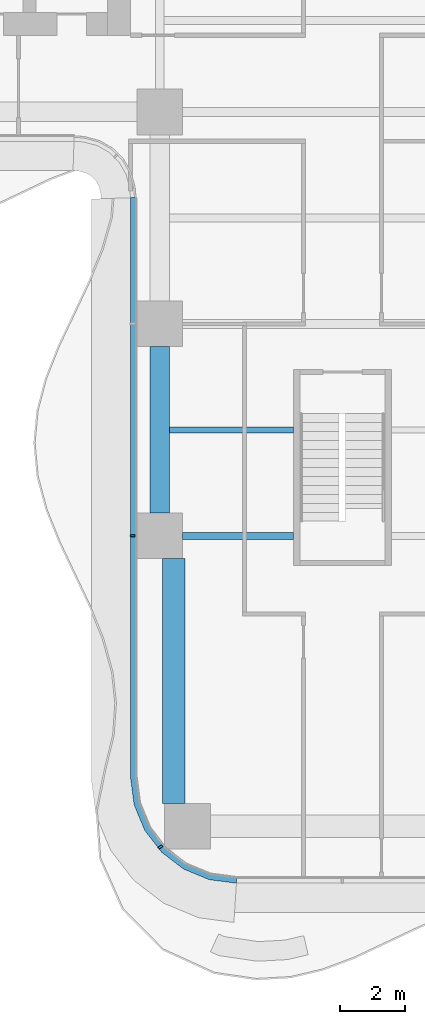
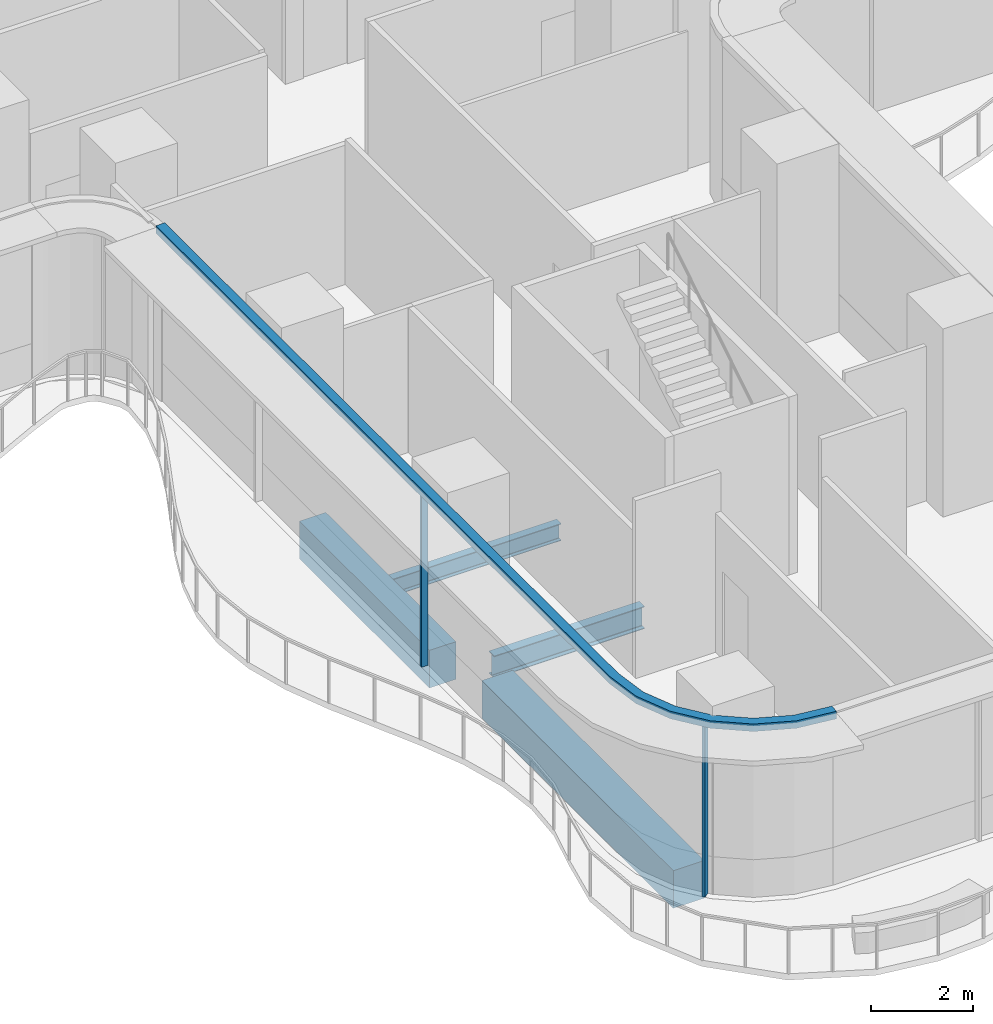
# One storey, part 2 of 22: 4 beams, 3 members, 1 element without a shape of its own.
"""IFC4 building model written with IfcOpenShell, lengths in metres."""

from ifc_helpers import new_model, si_unit, direction, frame, origin, origin_2d, place, context, subcontext, project, spatial, polyline, rectangle, i_section, outline, extrude, source, transform, mapped, material, layer, layer_set, material_profile, profile_set, type_object, element, aggregate, save


model = new_model("IFC4")

# Units and contexts
model_context = context("Model", 3, precision=1e-05, world=origin(), true_north=direction((0.0, 1.0)))
body_context = subcontext(model_context, "Body", "Model", "MODEL_VIEW")
ifc_project = project(units=[si_unit("LENGTHUNIT", "METRE"), si_unit("AREAUNIT", "SQUARE_METRE"), si_unit("VOLUMEUNIT", "CUBIC_METRE"), si_unit("PLANEANGLEUNIT", "RADIAN"), si_unit("MASSUNIT", "GRAM", prefix="KILO")], contexts=[model_context])

# Site, building, storey
site_placement = place(None, origin())
site = spatial("IfcSite", under=ifc_project, at=site_placement, CompositionType="ELEMENT")
building_placement = place(site_placement, origin())
building = spatial("IfcBuilding", under=site, at=building_placement, Name="Trellis Farm Tower", CompositionType="ELEMENT")
storey_placement = place(building_placement, frame((0.0, 0.0, 70.0)))
storey = spatial("IfcBuildingStorey", under=building, at=storey_placement, Name="L14", CompositionType="ELEMENT", Elevation=70.0)

# Beams
ifc_material_1 = material(Name="Steel S355", Category="steel")
ifc_material_profile_1 = material_profile(ifc_material_1, i_section(OverallWidth=0.209228515625, OverallDepth=0.533203125, WebThickness=0.010009765625, FlangeThickness=0.015625, FilletRadius=0.0126953125, at=origin_2d()), Name="UB 533x210x92")
ifc_profile_set_1 = profile_set([ifc_material_profile_1], Name="Steel S355")
beam_type_1 = type_object("IfcBeamType", Name="UB 533x210x92", PredefinedType="BEAM", material=ifc_profile_set_1)
shared_shape_1 = source(origin(), body_context, "Body", "SweptSolid", [
    extrude(i_section(OverallWidth=0.209228515625, OverallDepth=0.533203125, WebThickness=0.010009765625, FlangeThickness=0.015625, FilletRadius=0.0126953125, at=origin_2d()), origin(), (0.0, 0.0, 1.0), 3.39990234375),
])
beam_1_placement = place(storey_placement, frame((-4.89990234375, -18.60009765625, -0.5166015625), z_axis=(1.0, 0.0, 0.0), x_axis=(0.0, 1.0, 0.0)))
element("IfcBeam", 1, at=beam_1_placement, inside=storey, type_object=beam_type_1, Name="Girder", PredefinedType="BEAM", context=body_context, shape_type="MappedRepresentation", body=[
    mapped(shared_shape_1, transform((0.0, 0.0, 0.0))),
])
ifc_material_2 = material(Name="Concrete C60/75", Category="concrete")
ifc_material_profile_2 = material_profile(ifc_material_2, rectangle(XDim=0.60009765625, YDim=0.89990234375, at=origin_2d()), Name="RC spandrel beam 600x900 C60/75")
ifc_profile_set_2 = profile_set([ifc_material_profile_2], Name="Concrete C60/75")
beam_type_2 = type_object("IfcBeamType", Name="RC spandrel beam 600x900 C60/75", PredefinedType="SPANDREL", material=ifc_profile_set_2)
shared_shape_2 = source(origin(), body_context, "Body", "SweptSolid", [
    extrude(rectangle(XDim=0.60009765625, YDim=0.89990234375, at=origin_2d()), origin(), (0.0, 0.0, 1.0), 5.099853515625),
])
beam_2_placement = place(storey_placement, frame((-5.60009765625, -17.89990234375, -0.699951171875), z_axis=(0.0, 1.0, 0.0), x_axis=(-1.0, 0.0, 0.0)))
element("IfcBeam", 2, at=beam_2_placement, inside=storey, type_object=beam_type_2, Name="Girder", PredefinedType="SPANDREL", context=body_context, shape_type="MappedRepresentation", body=[
    mapped(shared_shape_2, transform((0.0, 0.0, 0.0))),
])
ifc_material_profile_3 = material_profile(ifc_material_2, rectangle(XDim=0.699951171875, YDim=0.89990234375, at=origin_2d()), Name="RC spandrel beam 700x900 C60/75")
ifc_profile_set_3 = profile_set([ifc_material_profile_3], Name="Concrete C60/75")
beam_type_3 = type_object("IfcBeamType", Name="RC spandrel beam 700x900 C60/75", PredefinedType="SPANDREL", material=ifc_profile_set_3)
shared_shape_3 = source(origin(), body_context, "Body", "SweptSolid", [
    extrude(rectangle(XDim=0.699951171875, YDim=0.89990234375, at=origin_2d()), origin(), (0.0, 0.0, 1.0), 7.5),
])
beam_3_placement = place(storey_placement, frame((-5.175048828125, -26.800048828125, -0.699951171875), z_axis=(0.0, 1.0, 0.0), x_axis=(-1.0, 0.0, 0.0)))
element("IfcBeam", 3, at=beam_3_placement, inside=storey, type_object=beam_type_3, Name="Girder", PredefinedType="SPANDREL", context=body_context, shape_type="MappedRepresentation", body=[
    mapped(shared_shape_3, transform((0.0, 0.0, 0.0))),
])
ifc_material_profile_4 = material_profile(ifc_material_1, i_section(OverallWidth=0.177978515625, OverallDepth=0.406494140625, WebThickness=0.0078125, FlangeThickness=0.0126953125, FilletRadius=0.01025390625, at=origin_2d()), Name="UB 406x178x60")
ifc_profile_set_4 = profile_set([ifc_material_profile_4], Name="Steel S355")
beam_type_4 = type_object("IfcBeamType", Name="UB 406x178x60 joist", PredefinedType="JOIST", material=ifc_profile_set_4)
shared_shape_4 = source(origin(), body_context, "Body", "SweptSolid", [
    extrude(i_section(OverallWidth=0.177978515625, OverallDepth=0.406494140625, WebThickness=0.0078125, FlangeThickness=0.0126953125, FilletRadius=0.01025390625, at=origin_2d()), origin(), (0.0, 0.0, 1.0), 3.800048828125),
])
beam_4_placement = place(storey_placement, frame((-5.300048828125, -15.35009765625, -0.453125), z_axis=(1.0, 0.0, 0.0), x_axis=(0.0, 1.0, 0.0)))
element("IfcBeam", 4, at=beam_4_placement, inside=storey, type_object=beam_type_4, Name="Floor beam", PredefinedType="JOIST", context=body_context, shape_type="MappedRepresentation", body=[
    mapped(shared_shape_4, transform((0.0, 0.0, 0.0))),
])

# Curtain wall, members
ifc_material_3 = material(Name="Aluminium and glass curtain wall", Category="aluminium")
ifc_layer_1 = layer(ifc_material_3, 0.18994140625)
ifc_layer_set_1 = layer_set([ifc_layer_1], Name="RIBBON CURTAIN WALL CW1")
curtain_wall_type = type_object("IfcCurtainWallType", Name="RIBBON CURTAIN WALL CW1", PredefinedType="NOTDEFINED", material=ifc_layer_set_1)
curtain_wall_placement = place(storey_placement, origin())
curtain_wall = element("IfcCurtainWall", 5, at=curtain_wall_placement, inside=storey, type_object=curtain_wall_type, Name="CW1 002", PredefinedType="NOTDEFINED")
ifc_material_4 = material(Name="Aluminium extrusion 6063-T6", Category="aluminium")
ifc_material_profile_5 = material_profile(ifc_material_4, rectangle(XDim=0.06005859375, YDim=0.14990234375, at=origin_2d()), Name="MULLION 60x150")
ifc_profile_set_5 = profile_set([ifc_material_profile_5], Name="Aluminium extrusion 6063-T6")
member_type_1 = type_object("IfcMemberType", Name="CW1 MULLION 60x150", PredefinedType="MULLION", material=ifc_profile_set_5)
shared_shape_5 = source(origin(), body_context, "Body", "SweptSolid", [
    extrude(rectangle(XDim=0.06005859375, YDim=0.14990234375, at=origin_2d()), origin(), (0.0, 0.0, 1.0), 4.070068359375),
])
member_1_placement = place(storey_placement, frame((-6.425048828125, -18.60009765625, 0.0), z_axis=(0.0, 0.0, 1.0), x_axis=(0.0, -1.0, 0.0)))
member_1 = element("IfcMember", 6, at=member_1_placement, type_object=member_type_1, Name="MU1 002-02", PredefinedType="MULLION", context=body_context, shape_type="MappedRepresentation", body=[
    mapped(shared_shape_5, transform((0.0, 0.0, 0.0))),
])
member_2_placement = place(storey_placement, frame((-5.578369140625, -28.135498046875, 0.0), z_axis=(0.0, 0.0, 1.0), x_axis=(0.608761429009, -0.793353340291, 0.0)))
member_2 = element("IfcMember", 7, at=member_2_placement, type_object=member_type_1, Name="MU1 002-03", PredefinedType="MULLION", context=body_context, shape_type="MappedRepresentation", body=[
    mapped(shared_shape_5, transform((0.0, 0.0, 0.0))),
])
ifc_layer_2 = layer(ifc_material_4, 0.199951171875)
ifc_layer_set_2 = layer_set([ifc_layer_2], Name="Aluminium extrusion 6063-T6")
member_type_2 = type_object("IfcMemberType", Name="CW1 TRANSOM 200x180", PredefinedType="USERDEFINED", material=ifc_layer_set_2)
shared_shape_6 = source(origin(), body_context, "Body", "SweptSolid", [
    extrude(outline(polyline([(-6.5, -8.2314453125), (-6.5, -26.0), (-6.38916015625, -26.841064453125), (-6.064697265625, -27.625), (-5.548095703125, -28.298095703125), (-4.875, -28.814697265625), (-4.091064453125, -29.13916015625), (-3.25, -29.25), (-3.23681640625, -29.050048828125), (-4.0390625, -28.9443359375), (-4.774169921875, -28.639892578125), (-5.405517578125, -28.155517578125), (-5.889892578125, -27.524169921875), (-6.1943359375, -26.7890625), (-6.300048828125, -25.98681640625), (-6.300048828125, -8.224853515625), (-6.5, -8.2314453125)])), origin(), (0.0, 0.0, 1.0), 0.179931640625),
])
member_3_placement = place(storey_placement, frame((0.0, 0.0, 4.070068359375)))
member_3 = element("IfcMember", 8, at=member_3_placement, type_object=member_type_2, Name="TR1 002", ObjectType="TRANSOM", PredefinedType="USERDEFINED", context=body_context, shape_type="MappedRepresentation", body=[
    mapped(shared_shape_6, transform((0.0, 0.0, 0.0))),
])
aggregate(curtain_wall, [member_1, member_2, member_3])

save(model, "model.ifc")
